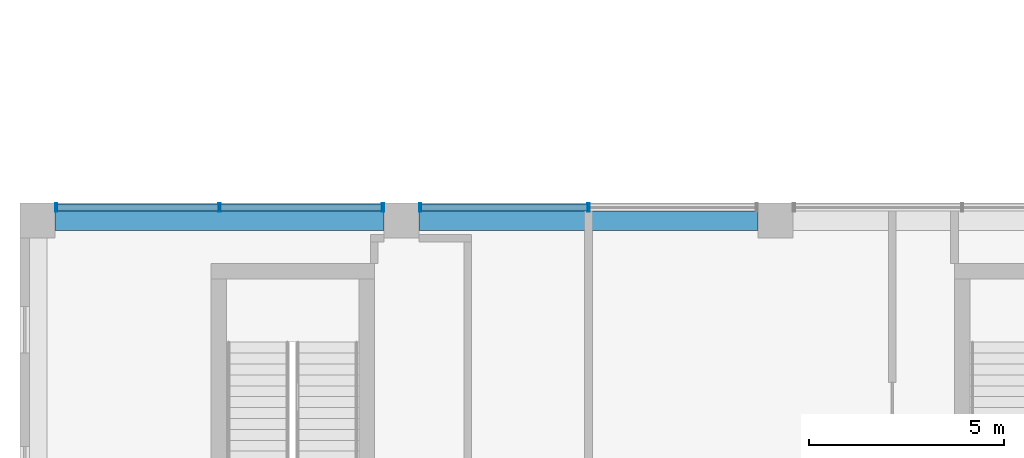
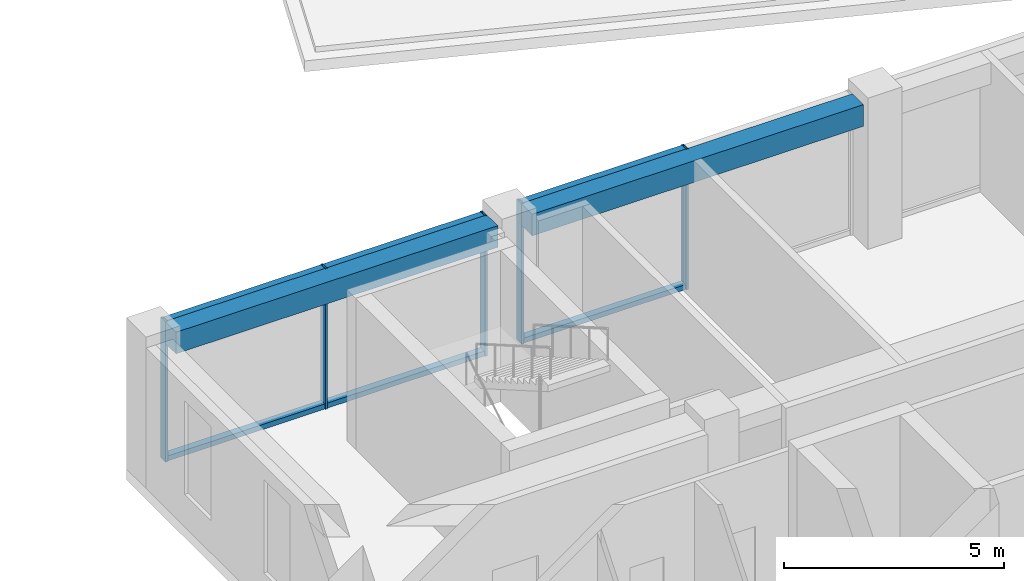
# One storey, part 21 of 36: 11 members, 2 beams, 2 elements without a shape of their own.
"""IFC4 building model written with IfcOpenShell, lengths in metres."""

from ifc_helpers import new_model, si_unit, direction, frame, origin, origin_2d, place, context, subcontext, project, spatial, rectangle, hollow_rectangle, extrude, material, layer, layer_set, material_profile, profile_set, type_object, element, aggregate, save


model = new_model("IFC4")

# Units and contexts
model_context = context("Model", 3, precision=1e-05, world=origin(), true_north=direction((0.0, 1.0)))
body_context = subcontext(model_context, "Body", "Model", "MODEL_VIEW")
ifc_project = project(units=[si_unit("LENGTHUNIT", "METRE"), si_unit("AREAUNIT", "SQUARE_METRE"), si_unit("VOLUMEUNIT", "CUBIC_METRE"), si_unit("PLANEANGLEUNIT", "RADIAN"), si_unit("MASSUNIT", "GRAM", prefix="KILO")], contexts=[model_context])

# Site, building, storey
site_placement = place(None, origin())
site = spatial("IfcSite", under=ifc_project, at=site_placement, CompositionType="ELEMENT")
building_placement = place(site_placement, origin())
building = spatial("IfcBuilding", under=site, at=building_placement, Name="Nzadi Deep Aquarium and Research Tower", CompositionType="ELEMENT")
storey_placement = place(building_placement, frame((0.0, 0.0, 40.300048828125)))
storey = spatial("IfcBuildingStorey", under=building, at=storey_placement, Name="L07", CompositionType="ELEMENT", Elevation=40.300048828125)

# Curtain wall, members
ifc_material_1 = material(Name="Aluminium unitised frame deep", Category="aluminium")
ifc_layer = layer(ifc_material_1, 0.22509765625)
ifc_layer_set = layer_set([ifc_layer], Name="Aluminium unitised frame deep")
curtain_wall_type = type_object("IfcCurtainWallType", Name="Curtain wall Unitised Deep 225", PredefinedType="NOTDEFINED", material=ifc_layer_set)
curtain_wall_1_placement = place(storey_placement, origin())
curtain_wall_1 = element("IfcCurtainWall", 1, at=curtain_wall_1_placement, inside=storey, type_object=curtain_wall_type, Name="Unitised curtain wall blade B north L07", PredefinedType="NOTDEFINED")
ifc_material_2 = material(Name="Aluminium unitised frame deep", Category="aluminium")
ifc_material_profile_1 = material_profile(ifc_material_2, hollow_rectangle(XDim=0.22509765625, YDim=0.06005859375, WallThickness=0.0048828125, at=origin_2d()))
ifc_profile_set_1 = profile_set([ifc_material_profile_1], Name="Aluminium unitised frame deep")
member_type_1 = type_object("IfcMemberType", Name="Mullion 60x225 Unitised Deep", PredefinedType="MULLION", material=ifc_profile_set_1)
member_1_placement = place(storey_placement, frame((0.72998046875, 46.33740234375, 0.0), z_axis=(0.0, 0.0, 1.0), x_axis=(0.0, 1.0, 0.0)))
member_1 = element("IfcMember", 2, at=member_1_placement, type_object=member_type_1, Name="CW103 mullion 1", PredefinedType="MULLION", context=body_context, shape_type="SweptSolid", body=[
    extrude(hollow_rectangle(XDim=0.22509765625, YDim=0.06005859375, WallThickness=0.0048828125, at=origin_2d()), origin(), (0.0, 0.0, 1.0), 3.89990234375),
])
member_2_placement = place(storey_placement, frame((4.925048828125, 46.33740234375, 0.0), z_axis=(0.0, 0.0, 1.0), x_axis=(0.0, 1.0, 0.0)))
member_2 = element("IfcMember", 3, at=member_2_placement, type_object=member_type_1, Name="CW103 mullion 2", PredefinedType="MULLION", context=body_context, shape_type="SweptSolid", body=[
    extrude(hollow_rectangle(XDim=0.22509765625, YDim=0.06005859375, WallThickness=0.0048828125, at=origin_2d()), origin(), (0.0, 0.0, 1.0), 3.89990234375),
])
member_3_placement = place(storey_placement, frame((9.1201171875, 46.33740234375, 0.0), z_axis=(0.0, 0.0, 1.0), x_axis=(0.0, 1.0, 0.0)))
member_3 = element("IfcMember", 4, at=member_3_placement, type_object=member_type_1, Name="CW103 mullion 3", PredefinedType="MULLION", context=body_context, shape_type="SweptSolid", body=[
    extrude(hollow_rectangle(XDim=0.22509765625, YDim=0.06005859375, WallThickness=0.0048828125, at=origin_2d()), origin(), (0.0, 0.0, 1.0), 3.89990234375),
])

curtain_wall_2_placement = place(storey_placement, origin())
curtain_wall_2 = element("IfcCurtainWall", 5, at=curtain_wall_2_placement, inside=storey, type_object=curtain_wall_type, Name="Unitised curtain wall blade B north L07", PredefinedType="NOTDEFINED")
member_4_placement = place(storey_placement, frame((10.080078125, 46.33740234375, 0.0), z_axis=(0.0, 0.0, 1.0), x_axis=(0.0, 1.0, 0.0)))
member_4 = element("IfcMember", 6, at=member_4_placement, type_object=member_type_1, Name="CW104 mullion 1", PredefinedType="MULLION", context=body_context, shape_type="SweptSolid", body=[
    extrude(hollow_rectangle(XDim=0.22509765625, YDim=0.06005859375, WallThickness=0.0048828125, at=origin_2d()), origin(), (0.0, 0.0, 1.0), 3.89990234375),
])
member_5_placement = place(storey_placement, frame((14.39990234375, 46.33740234375, 0.0), z_axis=(0.0, 0.0, 1.0), x_axis=(0.0, 1.0, 0.0)))
member_5 = element("IfcMember", 7, at=member_5_placement, type_object=member_type_1, Name="CW104 mullion 2", PredefinedType="MULLION", context=body_context, shape_type="SweptSolid", body=[
    extrude(hollow_rectangle(XDim=0.22509765625, YDim=0.06005859375, WallThickness=0.0048828125, at=origin_2d()), origin(), (0.0, 0.0, 1.0), 3.89990234375),
])

# Beams
ifc_material_3 = material(Name="Concrete C35/45", Category="concrete")
ifc_material_profile_2 = material_profile(ifc_material_3, rectangle(XDim=0.5, YDim=0.60009765625, at=origin_2d()))
ifc_profile_set_2 = profile_set([ifc_material_profile_2], Name="Concrete C35/45")
beam_type = type_object("IfcBeamType", Name="RC 500x600", PredefinedType="BEAM", material=ifc_profile_set_2)
beam_1_placement = place(storey_placement, frame((0.699951171875, 46.0, 3.599853515625), z_axis=(1.0, 0.0, 0.0), x_axis=(0.0, 1.0, 0.0)))
element("IfcBeam", 8, at=beam_1_placement, inside=storey, type_object=beam_type, Name="B-Z1-L07-L6-1", PredefinedType="BEAM", context=body_context, shape_type="SweptSolid", body=[
    extrude(rectangle(XDim=0.5, YDim=0.60009765625, at=origin_2d()), origin(), (0.0, 0.0, 1.0), 8.449951171875),
])
beam_2_placement = place(storey_placement, frame((10.050048828125, 46.0, 3.599853515625), z_axis=(1.0, 0.0, 0.0), x_axis=(0.0, 1.0, 0.0)))
element("IfcBeam", 9, at=beam_2_placement, inside=storey, type_object=beam_type, Name="B-Z1-L07-L6-2", PredefinedType="BEAM", context=body_context, shape_type="SweptSolid", body=[
    extrude(rectangle(XDim=0.5, YDim=0.60009765625, at=origin_2d()), origin(), (0.0, 0.0, 1.0), 8.699951171875),
])

# Member
ifc_material_4 = material(Name="Aluminium unitised frame deep", Category="aluminium")
ifc_material_profile_3 = material_profile(ifc_material_4, hollow_rectangle(XDim=0.179931640625, YDim=0.139892578125, WallThickness=0.0048828125, at=origin_2d()))
ifc_profile_set_3 = profile_set([ifc_material_profile_3], Name="Aluminium unitised frame deep")
member_type_2 = type_object("IfcMemberType", Name="Transom 140x180 Unitised Deep", PredefinedType="MULLION", material=ifc_profile_set_3)
member_6_placement = place(storey_placement, frame((0.760009765625, 46.33740234375, 0.070068359375), z_axis=(1.0, 0.0, 0.0), x_axis=(0.0, 1.0, 0.0)))
member_6 = element("IfcMember", 10, at=member_6_placement, type_object=member_type_2, Name="CW103 transom 1.1", PredefinedType="MULLION", context=body_context, shape_type="SweptSolid", body=[
    extrude(hollow_rectangle(XDim=0.179931640625, YDim=0.139892578125, WallThickness=0.0048828125, at=origin_2d()), origin(), (0.0, 0.0, 1.0), 4.135009765625),
])

member_7_placement = place(storey_placement, frame((0.760009765625, 46.33740234375, 3.829833984375), z_axis=(1.0, 0.0, 0.0), x_axis=(0.0, 1.0, 0.0)))
member_7 = element("IfcMember", 11, at=member_7_placement, type_object=member_type_2, Name="CW103 transom 1.2", PredefinedType="MULLION", context=body_context, shape_type="SweptSolid", body=[
    extrude(hollow_rectangle(XDim=0.179931640625, YDim=0.139892578125, WallThickness=0.0048828125, at=origin_2d()), origin(), (0.0, 0.0, 1.0), 4.135009765625),
])

member_8_placement = place(storey_placement, frame((4.955078125, 46.33740234375, 0.070068359375), z_axis=(1.0, 0.0, 0.0), x_axis=(0.0, 1.0, 0.0)))
member_8 = element("IfcMember", 12, at=member_8_placement, type_object=member_type_2, Name="CW103 transom 2.1", PredefinedType="MULLION", context=body_context, shape_type="SweptSolid", body=[
    extrude(hollow_rectangle(XDim=0.179931640625, YDim=0.139892578125, WallThickness=0.0048828125, at=origin_2d()), origin(), (0.0, 0.0, 1.0), 4.135009765625),
])

member_9_placement = place(storey_placement, frame((4.955078125, 46.33740234375, 3.829833984375), z_axis=(1.0, 0.0, 0.0), x_axis=(0.0, 1.0, 0.0)))
member_9 = element("IfcMember", 13, at=member_9_placement, type_object=member_type_2, Name="CW103 transom 2.2", PredefinedType="MULLION", context=body_context, shape_type="SweptSolid", body=[
    extrude(hollow_rectangle(XDim=0.179931640625, YDim=0.139892578125, WallThickness=0.0048828125, at=origin_2d()), origin(), (0.0, 0.0, 1.0), 4.135009765625),
])

aggregate(curtain_wall_1, [member_1, member_2, member_3, member_6, member_7, member_8, member_9])

member_10_placement = place(storey_placement, frame((10.110107421875, 46.33740234375, 0.070068359375), z_axis=(1.0, 0.0, 0.0), x_axis=(0.0, 1.0, 0.0)))
member_10 = element("IfcMember", 14, at=member_10_placement, type_object=member_type_2, Name="CW104 transom 1.1", PredefinedType="MULLION", context=body_context, shape_type="SweptSolid", body=[
    extrude(hollow_rectangle(XDim=0.179931640625, YDim=0.139892578125, WallThickness=0.0048828125, at=origin_2d()), origin(), (0.0, 0.0, 1.0), 4.260009765625),
])

member_11_placement = place(storey_placement, frame((10.110107421875, 46.33740234375, 3.829833984375), z_axis=(1.0, 0.0, 0.0), x_axis=(0.0, 1.0, 0.0)))
member_11 = element("IfcMember", 15, at=member_11_placement, type_object=member_type_2, Name="CW104 transom 1.2", PredefinedType="MULLION", context=body_context, shape_type="SweptSolid", body=[
    extrude(hollow_rectangle(XDim=0.179931640625, YDim=0.139892578125, WallThickness=0.0048828125, at=origin_2d()), origin(), (0.0, 0.0, 1.0), 4.260009765625),
])

aggregate(curtain_wall_2, [member_4, member_5, member_10, member_11])

save(model, "model.ifc")
